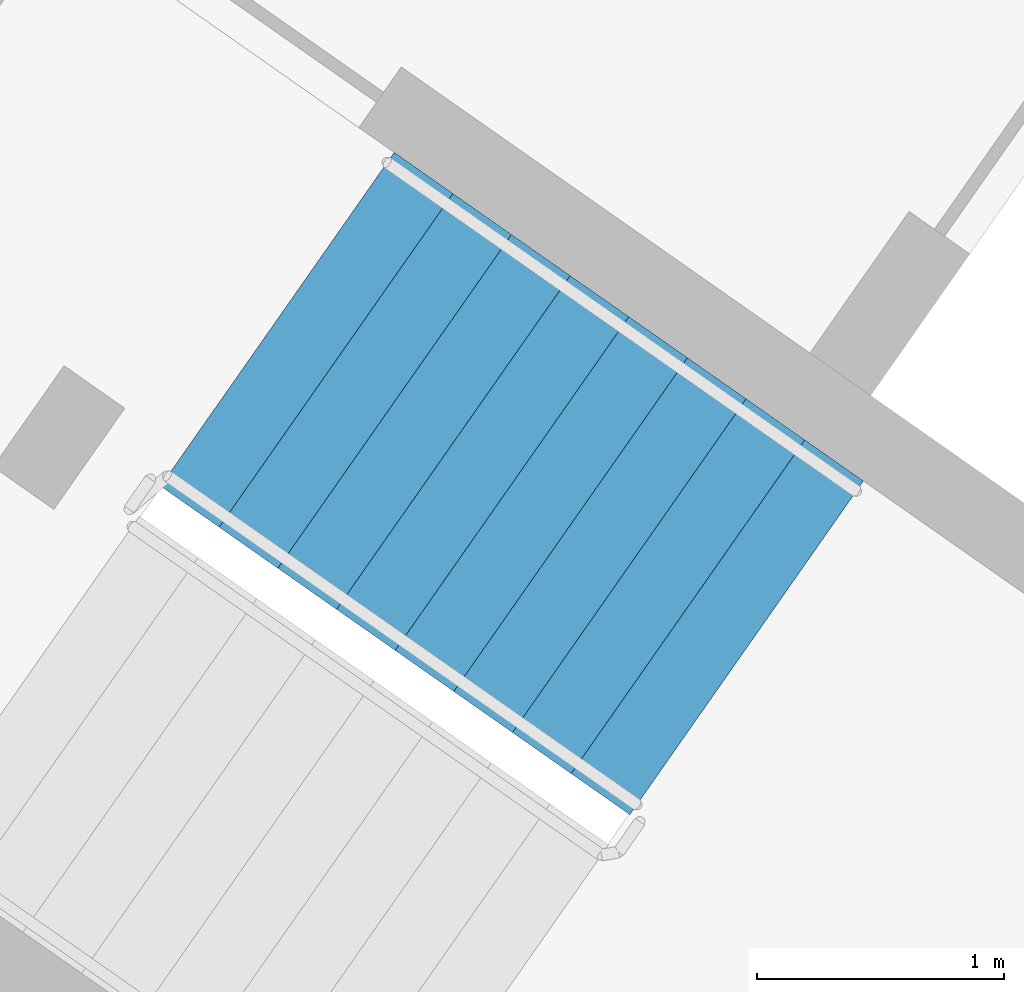
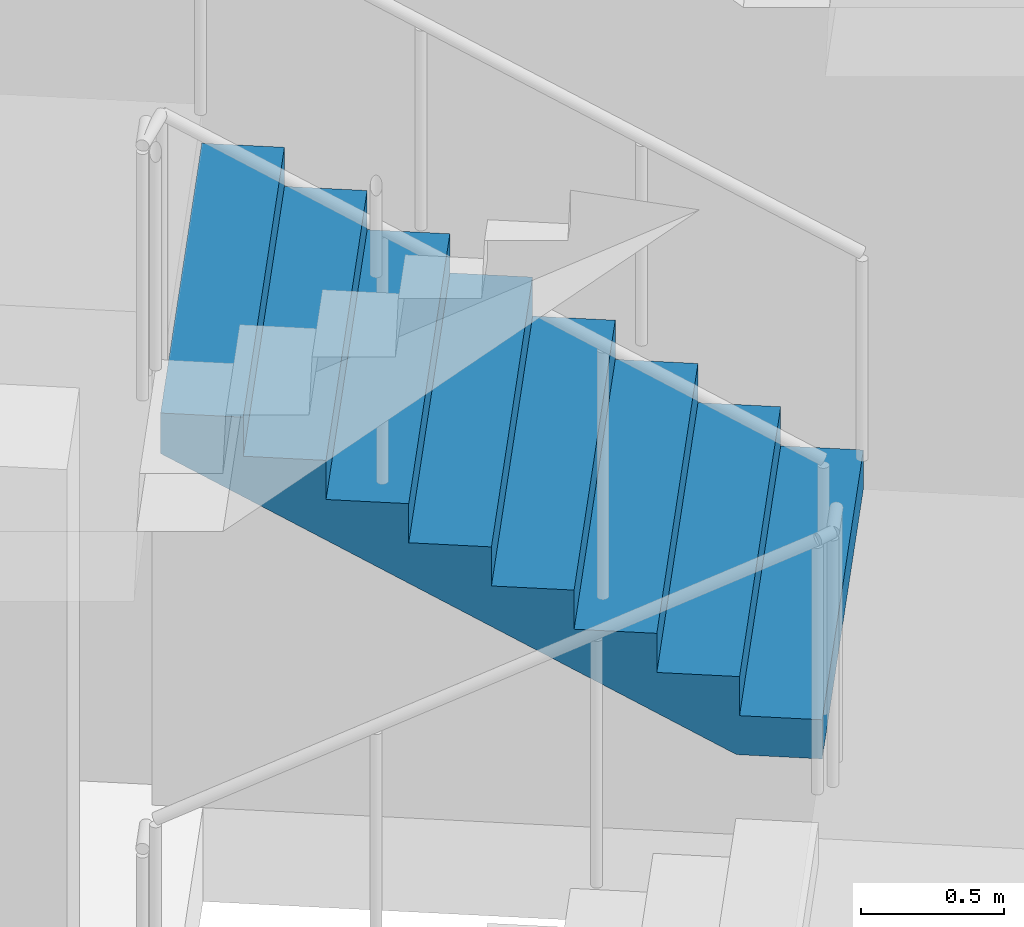
# One storey, part 8 of 41: 1 stair flight, 1 element without a shape of its own.
"""IFC4 building model written with IfcOpenShell, lengths in metres."""

from ifc_helpers import new_model, si_unit, direction, frame, origin, place, context, subcontext, project, spatial, faceted_brep, material, type_object, element, aggregate, save


model = new_model("IFC4")

# Units and contexts
model_context = context("Model", 3, precision=1e-05, world=origin(), true_north=direction((0.0, 1.0)))
body_context = subcontext(model_context, "Body", "Model", "MODEL_VIEW")
ifc_project = project(units=[si_unit("LENGTHUNIT", "METRE"), si_unit("AREAUNIT", "SQUARE_METRE"), si_unit("VOLUMEUNIT", "CUBIC_METRE"), si_unit("PLANEANGLEUNIT", "RADIAN"), si_unit("MASSUNIT", "GRAM", prefix="KILO")], contexts=[model_context])

# Site, building, storey
site_placement = place(None, origin())
site = spatial("IfcSite", under=ifc_project, at=site_placement, CompositionType="ELEMENT")
building_placement = place(site_placement, origin())
building = spatial("IfcBuilding", under=site, at=building_placement, Name="Qamariyya Broadcast Tower", CompositionType="ELEMENT")
storey_placement = place(building_placement, frame((0.0, 0.0, 284.699951171875)))
storey = spatial("IfcBuildingStorey", under=building, at=storey_placement, Name="L69", CompositionType="ELEMENT", Elevation=284.699951171875)

# Stair, stair flight
ifc_material = material(Name="Concrete C50/60", Category="concrete")
stair_type = type_object("IfcStairType", Name="Exit stair 36 risers of 167 mm", PredefinedType="HALF_TURN_STAIR", material=ifc_material)
stair_placement = place(storey_placement, origin())
stair = element("IfcStair", 1, at=stair_placement, inside=storey, type_object=stair_type, Name="L69 Stair W1", PredefinedType="HALF_TURN_STAIR")
stair_flight_type = type_object("IfcStairFlightType", Name="Exit stair flight 9 risers of 167 mm", PredefinedType="STRAIGHT", material=ifc_material)
stair_flight_placement = place(storey_placement, frame((-44.135986328125, -56.8388671875, 1.5), z_axis=(0.0, 0.0, 1.0), x_axis=(-0.819152044289, 0.573576436351, 0.0)))
stair_flight = element("IfcStairFlight", 2, at=stair_flight_placement, type_object=stair_flight_type, Name="ST-W1 flight 2", NumberOfRisers=9, NumberOfTreads=8, PredefinedType="STRAIGHT", RiserHeight=0.166666667, TreadLength=0.29, context=body_context, shape_type="Brep", body=[
    faceted_brep([(0.0, 0.824951171875, 0.0), (0.0, 0.824951171875, 0.166748046875), (0.2900390625, 0.824951171875, 0.166748046875), (0.2900390625, 0.824951171875, 0.333251953125), (0.580078125, 0.824951171875, 0.333251953125), (0.580078125, 0.824951171875, 0.5), (0.8701171875, 0.824951171875, 0.5), (0.8701171875, 0.824951171875, 0.666748046875), (1.159912109375, 0.824951171875, 0.666748046875), (1.159912109375, 0.824951171875, 0.833251953125), (1.449951171875, 0.824951171875, 0.833251953125), (1.449951171875, 0.824951171875, 1.0), (1.739990234375, 0.824951171875, 1.0), (1.739990234375, 0.824951171875, 1.166748046875), (2.030029296875, 0.824951171875, 1.166748046875), (2.030029296875, 0.824951171875, 1.333251953125), (2.320068359375, 0.824951171875, 1.333251953125), (2.320068359375, 0.824951171875, 1.160400390625), (0.30078125, 0.824951171875, 0.0), (0.30078125, -0.824951171875, 0.0), (2.320068359375, -0.824951171875, 1.160400390625), (2.320068359375, -0.824951171875, 1.333251953125), (2.030029296875, -0.824951171875, 1.333251953125), (2.030029296875, -0.824951171875, 1.166748046875), (1.739990234375, -0.824951171875, 1.166748046875), (1.739990234375, -0.824951171875, 1.0), (1.449951171875, -0.824951171875, 1.0), (1.449951171875, -0.824951171875, 0.833251953125), (1.159912109375, -0.824951171875, 0.833251953125), (1.159912109375, -0.824951171875, 0.666748046875), (0.8701171875, -0.824951171875, 0.666748046875), (0.8701171875, -0.824951171875, 0.5), (0.580078125, -0.824951171875, 0.5), (0.580078125, -0.824951171875, 0.333251953125), (0.2900390625, -0.824951171875, 0.333251953125), (0.2900390625, -0.824951171875, 0.166748046875), (0.0, -0.824951171875, 0.166748046875), (0.0, -0.824951171875, 0.0), (0.0, 0.10009765625, 0.0), (0.0, 0.086669921875, 0.0), (0.0, 0.0732421875, 0.0), (0.0, 0.06005859375, 0.0), (0.0, 0.046630859375, 0.0), (0.0, 0.033447265625, 0.0), (0.0, 0.02001953125, 0.0), (0.0, 0.006591796875, 0.0), (0.0, -0.006591796875, 0.0), (0.0, -0.02001953125, 0.0), (0.0, -0.033447265625, 0.0), (0.0, -0.046630859375, 0.0), (0.0, -0.06005859375, 0.0), (0.0, -0.0732421875, 0.0), (0.0, -0.086669921875, 0.0), (0.0, -0.10009765625, 0.0), (0.0, -0.10009765625, 0.166748046875), (0.0, -0.086669921875, 0.166748046875), (0.0, -0.0732421875, 0.166748046875), (0.0, -0.06005859375, 0.166748046875), (0.0, -0.046630859375, 0.166748046875), (0.0, -0.033447265625, 0.166748046875), (0.0, -0.02001953125, 0.166748046875), (0.0, -0.006591796875, 0.166748046875), (0.0, 0.006591796875, 0.166748046875), (0.0, 0.02001953125, 0.166748046875), (0.0, 0.033447265625, 0.166748046875), (0.0, 0.046630859375, 0.166748046875), (0.0, 0.06005859375, 0.166748046875), (0.0, 0.0732421875, 0.166748046875), (0.0, 0.086669921875, 0.166748046875), (0.0, 0.10009765625, 0.166748046875), (0.2900390625, -0.10009765625, 0.166748046875), (0.2900390625, -0.086669921875, 0.166748046875), (0.2900390625, -0.0732421875, 0.166748046875), (0.2900390625, -0.06005859375, 0.166748046875), (0.2900390625, -0.046630859375, 0.166748046875), (0.2900390625, -0.033447265625, 0.166748046875), (0.2900390625, -0.02001953125, 0.166748046875), (0.2900390625, -0.006591796875, 0.166748046875), (0.2900390625, 0.006591796875, 0.166748046875), (0.2900390625, 0.02001953125, 0.166748046875), (0.2900390625, 0.033447265625, 0.166748046875), (0.2900390625, 0.046630859375, 0.166748046875), (0.2900390625, 0.06005859375, 0.166748046875), (0.2900390625, 0.0732421875, 0.166748046875), (0.2900390625, 0.086669921875, 0.166748046875), (0.2900390625, 0.10009765625, 0.166748046875), (0.2900390625, -0.10009765625, 0.333251953125), (0.2900390625, -0.086669921875, 0.333251953125), (0.2900390625, -0.0732421875, 0.333251953125), (0.2900390625, -0.06005859375, 0.333251953125), (0.2900390625, -0.046630859375, 0.333251953125), (0.2900390625, -0.033447265625, 0.333251953125), (0.2900390625, -0.02001953125, 0.333251953125), (0.2900390625, -0.006591796875, 0.333251953125), (0.2900390625, 0.006591796875, 0.333251953125), (0.2900390625, 0.02001953125, 0.333251953125), (0.2900390625, 0.033447265625, 0.333251953125), (0.2900390625, 0.046630859375, 0.333251953125), (0.2900390625, 0.06005859375, 0.333251953125), (0.2900390625, 0.0732421875, 0.333251953125), (0.2900390625, 0.086669921875, 0.333251953125), (0.2900390625, 0.10009765625, 0.333251953125), (0.580078125, -0.10009765625, 0.333251953125), (0.580078125, -0.086669921875, 0.333251953125), (0.580078125, -0.0732421875, 0.333251953125), (0.580078125, -0.06005859375, 0.333251953125), (0.580078125, -0.046630859375, 0.333251953125), (0.580078125, -0.033447265625, 0.333251953125), (0.580078125, -0.02001953125, 0.333251953125), (0.580078125, -0.006591796875, 0.333251953125), (0.580078125, 0.006591796875, 0.333251953125), (0.580078125, 0.02001953125, 0.333251953125), (0.580078125, 0.033447265625, 0.333251953125), (0.580078125, 0.046630859375, 0.333251953125), (0.580078125, 0.06005859375, 0.333251953125), (0.580078125, 0.0732421875, 0.333251953125), (0.580078125, 0.086669921875, 0.333251953125), (0.580078125, 0.10009765625, 0.333251953125), (0.580078125, -0.10009765625, 0.5), (0.580078125, -0.086669921875, 0.5), (0.580078125, -0.0732421875, 0.5), (0.580078125, -0.06005859375, 0.5), (0.580078125, -0.046630859375, 0.5), (0.580078125, -0.033447265625, 0.5), (0.580078125, -0.02001953125, 0.5), (0.580078125, -0.006591796875, 0.5), (0.580078125, 0.006591796875, 0.5), (0.580078125, 0.02001953125, 0.5), (0.580078125, 0.033447265625, 0.5), (0.580078125, 0.046630859375, 0.5), (0.580078125, 0.06005859375, 0.5), (0.580078125, 0.0732421875, 0.5), (0.580078125, 0.086669921875, 0.5), (0.580078125, 0.10009765625, 0.5), (0.8701171875, -0.10009765625, 0.5), (0.8701171875, -0.086669921875, 0.5), (0.8701171875, -0.0732421875, 0.5), (0.8701171875, -0.06005859375, 0.5), (0.8701171875, -0.046630859375, 0.5), (0.8701171875, -0.033447265625, 0.5), (0.8701171875, -0.02001953125, 0.5), (0.8701171875, -0.006591796875, 0.5), (0.8701171875, 0.006591796875, 0.5), (0.8701171875, 0.02001953125, 0.5), (0.8701171875, 0.033447265625, 0.5), (0.8701171875, 0.046630859375, 0.5), (0.8701171875, 0.06005859375, 0.5), (0.8701171875, 0.0732421875, 0.5), (0.8701171875, 0.086669921875, 0.5), (0.8701171875, 0.10009765625, 0.5), (0.8701171875, -0.10009765625, 0.666748046875), (0.8701171875, -0.086669921875, 0.666748046875), (0.8701171875, -0.0732421875, 0.666748046875), (0.8701171875, -0.06005859375, 0.666748046875), (0.8701171875, -0.046630859375, 0.666748046875), (0.8701171875, -0.033447265625, 0.666748046875), (0.8701171875, -0.02001953125, 0.666748046875), (0.8701171875, -0.006591796875, 0.666748046875), (0.8701171875, 0.006591796875, 0.666748046875), (0.8701171875, 0.02001953125, 0.666748046875), (0.8701171875, 0.033447265625, 0.666748046875), (0.8701171875, 0.046630859375, 0.666748046875), (0.8701171875, 0.06005859375, 0.666748046875), (0.8701171875, 0.0732421875, 0.666748046875), (0.8701171875, 0.086669921875, 0.666748046875), (0.8701171875, 0.10009765625, 0.666748046875), (1.159912109375, -0.10009765625, 0.666748046875), (1.159912109375, -0.086669921875, 0.666748046875), (1.159912109375, -0.0732421875, 0.666748046875), (1.159912109375, -0.06005859375, 0.666748046875), (1.159912109375, -0.046630859375, 0.666748046875), (1.159912109375, -0.033447265625, 0.666748046875), (1.159912109375, -0.02001953125, 0.666748046875), (1.159912109375, -0.006591796875, 0.666748046875), (1.159912109375, 0.006591796875, 0.666748046875), (1.159912109375, 0.02001953125, 0.666748046875), (1.159912109375, 0.033447265625, 0.666748046875), (1.159912109375, 0.046630859375, 0.666748046875), (1.159912109375, 0.06005859375, 0.666748046875), (1.159912109375, 0.0732421875, 0.666748046875), (1.159912109375, 0.086669921875, 0.666748046875), (1.159912109375, 0.10009765625, 0.666748046875), (1.159912109375, -0.10009765625, 0.833251953125), (1.159912109375, -0.086669921875, 0.833251953125), (1.159912109375, -0.0732421875, 0.833251953125), (1.159912109375, -0.06005859375, 0.833251953125), (1.159912109375, -0.046630859375, 0.833251953125), (1.159912109375, -0.033447265625, 0.833251953125), (1.159912109375, -0.02001953125, 0.833251953125), (1.159912109375, -0.006591796875, 0.833251953125), (1.159912109375, 0.006591796875, 0.833251953125), (1.159912109375, 0.02001953125, 0.833251953125), (1.159912109375, 0.033447265625, 0.833251953125), (1.159912109375, 0.046630859375, 0.833251953125), (1.159912109375, 0.06005859375, 0.833251953125), (1.159912109375, 0.0732421875, 0.833251953125), (1.159912109375, 0.086669921875, 0.833251953125), (1.159912109375, 0.10009765625, 0.833251953125), (1.449951171875, -0.10009765625, 0.833251953125), (1.449951171875, -0.086669921875, 0.833251953125), (1.449951171875, -0.0732421875, 0.833251953125), (1.449951171875, -0.06005859375, 0.833251953125), (1.449951171875, -0.046630859375, 0.833251953125), (1.449951171875, -0.033447265625, 0.833251953125), (1.449951171875, -0.02001953125, 0.833251953125), (1.449951171875, -0.006591796875, 0.833251953125), (1.449951171875, 0.006591796875, 0.833251953125), (1.449951171875, 0.02001953125, 0.833251953125), (1.449951171875, 0.033447265625, 0.833251953125), (1.449951171875, 0.046630859375, 0.833251953125), (1.449951171875, 0.06005859375, 0.833251953125), (1.449951171875, 0.0732421875, 0.833251953125), (1.449951171875, 0.086669921875, 0.833251953125), (1.449951171875, 0.10009765625, 0.833251953125), (1.449951171875, -0.10009765625, 1.0), (1.449951171875, -0.086669921875, 1.0), (1.449951171875, -0.0732421875, 1.0), (1.449951171875, -0.06005859375, 1.0), (1.449951171875, -0.046630859375, 1.0), (1.449951171875, -0.033447265625, 1.0), (1.449951171875, -0.02001953125, 1.0), (1.449951171875, -0.006591796875, 1.0), (1.449951171875, 0.006591796875, 1.0), (1.449951171875, 0.02001953125, 1.0), (1.449951171875, 0.033447265625, 1.0), (1.449951171875, 0.046630859375, 1.0), (1.449951171875, 0.06005859375, 1.0), (1.449951171875, 0.0732421875, 1.0), (1.449951171875, 0.086669921875, 1.0), (1.449951171875, 0.10009765625, 1.0), (1.739990234375, -0.10009765625, 1.0), (1.739990234375, -0.086669921875, 1.0), (1.739990234375, -0.0732421875, 1.0), (1.739990234375, -0.06005859375, 1.0), (1.739990234375, -0.046630859375, 1.0), (1.739990234375, -0.033447265625, 1.0), (1.739990234375, -0.02001953125, 1.0), (1.739990234375, -0.006591796875, 1.0), (1.739990234375, 0.006591796875, 1.0), (1.739990234375, 0.02001953125, 1.0), (1.739990234375, 0.033447265625, 1.0), (1.739990234375, 0.046630859375, 1.0), (1.739990234375, 0.06005859375, 1.0), (1.739990234375, 0.0732421875, 1.0), (1.739990234375, 0.086669921875, 1.0), (1.739990234375, 0.10009765625, 1.0), (1.739990234375, -0.10009765625, 1.166748046875), (1.739990234375, -0.086669921875, 1.166748046875), (1.739990234375, -0.0732421875, 1.166748046875), (1.739990234375, -0.06005859375, 1.166748046875), (1.739990234375, -0.046630859375, 1.166748046875), (1.739990234375, -0.033447265625, 1.166748046875), (1.739990234375, -0.02001953125, 1.166748046875), (1.739990234375, -0.006591796875, 1.166748046875), (1.739990234375, 0.006591796875, 1.166748046875), (1.739990234375, 0.02001953125, 1.166748046875), (1.739990234375, 0.033447265625, 1.166748046875), (1.739990234375, 0.046630859375, 1.166748046875), (1.739990234375, 0.06005859375, 1.166748046875), (1.739990234375, 0.0732421875, 1.166748046875), (1.739990234375, 0.086669921875, 1.166748046875), (1.739990234375, 0.10009765625, 1.166748046875), (2.030029296875, -0.10009765625, 1.166748046875), (2.030029296875, -0.086669921875, 1.166748046875), (2.030029296875, -0.0732421875, 1.166748046875), (2.030029296875, -0.06005859375, 1.166748046875), (2.030029296875, -0.046630859375, 1.166748046875), (2.030029296875, -0.033447265625, 1.166748046875), (2.030029296875, -0.02001953125, 1.166748046875), (2.030029296875, -0.006591796875, 1.166748046875), (2.030029296875, 0.006591796875, 1.166748046875), (2.030029296875, 0.02001953125, 1.166748046875), (2.030029296875, 0.033447265625, 1.166748046875), (2.030029296875, 0.046630859375, 1.166748046875), (2.030029296875, 0.06005859375, 1.166748046875), (2.030029296875, 0.0732421875, 1.166748046875), (2.030029296875, 0.086669921875, 1.166748046875), (2.030029296875, 0.10009765625, 1.166748046875), (2.030029296875, -0.10009765625, 1.333251953125), (2.030029296875, -0.086669921875, 1.333251953125), (2.030029296875, -0.0732421875, 1.333251953125), (2.030029296875, -0.06005859375, 1.333251953125), (2.030029296875, -0.046630859375, 1.333251953125), (2.030029296875, -0.033447265625, 1.333251953125), (2.030029296875, -0.02001953125, 1.333251953125), (2.030029296875, -0.006591796875, 1.333251953125), (2.030029296875, 0.006591796875, 1.333251953125), (2.030029296875, 0.02001953125, 1.333251953125), (2.030029296875, 0.033447265625, 1.333251953125), (2.030029296875, 0.046630859375, 1.333251953125), (2.030029296875, 0.06005859375, 1.333251953125), (2.030029296875, 0.0732421875, 1.333251953125), (2.030029296875, 0.086669921875, 1.333251953125), (2.030029296875, 0.10009765625, 1.333251953125), (2.320068359375, -0.10009765625, 1.333251953125), (2.320068359375, -0.086669921875, 1.333251953125), (2.320068359375, -0.0732421875, 1.333251953125), (2.320068359375, -0.06005859375, 1.333251953125), (2.320068359375, -0.046630859375, 1.333251953125), (2.320068359375, -0.033447265625, 1.333251953125), (2.320068359375, -0.02001953125, 1.333251953125), (2.320068359375, -0.006591796875, 1.333251953125), (2.320068359375, 0.006591796875, 1.333251953125), (2.320068359375, 0.02001953125, 1.333251953125), (2.320068359375, 0.033447265625, 1.333251953125), (2.320068359375, 0.046630859375, 1.333251953125), (2.320068359375, 0.06005859375, 1.333251953125), (2.320068359375, 0.0732421875, 1.333251953125), (2.320068359375, 0.086669921875, 1.333251953125), (2.320068359375, 0.10009765625, 1.333251953125), (2.320068359375, -0.10009765625, 1.160400390625), (2.320068359375, -0.086669921875, 1.160400390625), (2.320068359375, -0.0732421875, 1.160400390625), (2.320068359375, -0.06005859375, 1.160400390625), (2.320068359375, -0.046630859375, 1.160400390625), (2.320068359375, -0.033447265625, 1.160400390625), (2.320068359375, -0.02001953125, 1.160400390625), (2.320068359375, -0.006591796875, 1.160400390625), (2.320068359375, 0.006591796875, 1.160400390625), (2.320068359375, 0.02001953125, 1.160400390625), (2.320068359375, 0.033447265625, 1.160400390625), (2.320068359375, 0.046630859375, 1.160400390625), (2.320068359375, 0.06005859375, 1.160400390625), (2.320068359375, 0.0732421875, 1.160400390625), (2.320068359375, 0.086669921875, 1.160400390625), (2.320068359375, 0.10009765625, 1.160400390625), (0.30078125, -0.10009765625, 0.0), (0.30078125, -0.086669921875, 0.0), (0.30078125, -0.0732421875, 0.0), (0.30078125, -0.06005859375, 0.0), (0.30078125, -0.046630859375, 0.0), (0.30078125, -0.033447265625, 0.0), (0.30078125, -0.02001953125, 0.0), (0.30078125, -0.006591796875, 0.0), (0.30078125, 0.006591796875, 0.0), (0.30078125, 0.02001953125, 0.0), (0.30078125, 0.033447265625, 0.0), (0.30078125, 0.046630859375, 0.0), (0.30078125, 0.06005859375, 0.0), (0.30078125, 0.0732421875, 0.0), (0.30078125, 0.086669921875, 0.0), (0.30078125, 0.10009765625, 0.0)], [[[0, 1, 2, 3, 4, 5, 6, 7, 8, 9, 10, 11, 12, 13, 14, 15, 16, 17, 18]], [[19, 20, 21, 22, 23, 24, 25, 26, 27, 28, 29, 30, 31, 32, 33, 34, 35, 36, 37]], [[0, 38, 39, 40, 41, 42, 43, 44, 45, 46, 47, 48, 49, 50, 51, 52, 53, 37, 36, 54, 55, 56, 57, 58, 59, 60, 61, 62, 63, 64, 65, 66, 67, 68, 69, 1]], [[1, 69, 68, 67, 66, 65, 64, 63, 62, 61, 60, 59, 58, 57, 56, 55, 54, 36, 35, 70, 71, 72, 73, 74, 75, 76, 77, 78, 79, 80, 81, 82, 83, 84, 85, 2]], [[2, 85, 84, 83, 82, 81, 80, 79, 78, 77, 76, 75, 74, 73, 72, 71, 70, 35, 34, 86, 87, 88, 89, 90, 91, 92, 93, 94, 95, 96, 97, 98, 99, 100, 101, 3]], [[3, 101, 100, 99, 98, 97, 96, 95, 94, 93, 92, 91, 90, 89, 88, 87, 86, 34, 33, 102, 103, 104, 105, 106, 107, 108, 109, 110, 111, 112, 113, 114, 115, 116, 117, 4]], [[4, 117, 116, 115, 114, 113, 112, 111, 110, 109, 108, 107, 106, 105, 104, 103, 102, 33, 32, 118, 119, 120, 121, 122, 123, 124, 125, 126, 127, 128, 129, 130, 131, 132, 133, 5]], [[5, 133, 132, 131, 130, 129, 128, 127, 126, 125, 124, 123, 122, 121, 120, 119, 118, 32, 31, 134, 135, 136, 137, 138, 139, 140, 141, 142, 143, 144, 145, 146, 147, 148, 149, 6]], [[6, 149, 148, 147, 146, 145, 144, 143, 142, 141, 140, 139, 138, 137, 136, 135, 134, 31, 30, 150, 151, 152, 153, 154, 155, 156, 157, 158, 159, 160, 161, 162, 163, 164, 165, 7]], [[7, 165, 164, 163, 162, 161, 160, 159, 158, 157, 156, 155, 154, 153, 152, 151, 150, 30, 29, 166, 167, 168, 169, 170, 171, 172, 173, 174, 175, 176, 177, 178, 179, 180, 181, 8]], [[8, 181, 180, 179, 178, 177, 176, 175, 174, 173, 172, 171, 170, 169, 168, 167, 166, 29, 28, 182, 183, 184, 185, 186, 187, 188, 189, 190, 191, 192, 193, 194, 195, 196, 197, 9]], [[9, 197, 196, 195, 194, 193, 192, 191, 190, 189, 188, 187, 186, 185, 184, 183, 182, 28, 27, 198, 199, 200, 201, 202, 203, 204, 205, 206, 207, 208, 209, 210, 211, 212, 213, 10]], [[10, 213, 212, 211, 210, 209, 208, 207, 206, 205, 204, 203, 202, 201, 200, 199, 198, 27, 26, 214, 215, 216, 217, 218, 219, 220, 221, 222, 223, 224, 225, 226, 227, 228, 229, 11]], [[11, 229, 228, 227, 226, 225, 224, 223, 222, 221, 220, 219, 218, 217, 216, 215, 214, 26, 25, 230, 231, 232, 233, 234, 235, 236, 237, 238, 239, 240, 241, 242, 243, 244, 245, 12]], [[12, 245, 244, 243, 242, 241, 240, 239, 238, 237, 236, 235, 234, 233, 232, 231, 230, 25, 24, 246, 247, 248, 249, 250, 251, 252, 253, 254, 255, 256, 257, 258, 259, 260, 261, 13]], [[13, 261, 260, 259, 258, 257, 256, 255, 254, 253, 252, 251, 250, 249, 248, 247, 246, 24, 23, 262, 263, 264, 265, 266, 267, 268, 269, 270, 271, 272, 273, 274, 275, 276, 277, 14]], [[14, 277, 276, 275, 274, 273, 272, 271, 270, 269, 268, 267, 266, 265, 264, 263, 262, 23, 22, 278, 279, 280, 281, 282, 283, 284, 285, 286, 287, 288, 289, 290, 291, 292, 293, 15]], [[15, 293, 292, 291, 290, 289, 288, 287, 286, 285, 284, 283, 282, 281, 280, 279, 278, 22, 21, 294, 295, 296, 297, 298, 299, 300, 301, 302, 303, 304, 305, 306, 307, 308, 309, 16]], [[16, 309, 308, 307, 306, 305, 304, 303, 302, 301, 300, 299, 298, 297, 296, 295, 294, 21, 20, 310, 311, 312, 313, 314, 315, 316, 317, 318, 319, 320, 321, 322, 323, 324, 325, 17]], [[17, 325, 324, 323, 322, 321, 320, 319, 318, 317, 316, 315, 314, 313, 312, 311, 310, 20, 19, 326, 327, 328, 329, 330, 331, 332, 333, 334, 335, 336, 337, 338, 339, 340, 341, 18]], [[18, 341, 340, 339, 338, 337, 336, 335, 334, 333, 332, 331, 330, 329, 328, 327, 326, 19, 37, 53, 52, 51, 50, 49, 48, 47, 46, 45, 44, 43, 42, 41, 40, 39, 38, 0]]]),
])
aggregate(stair, [stair_flight])

save(model, "model.ifc")
